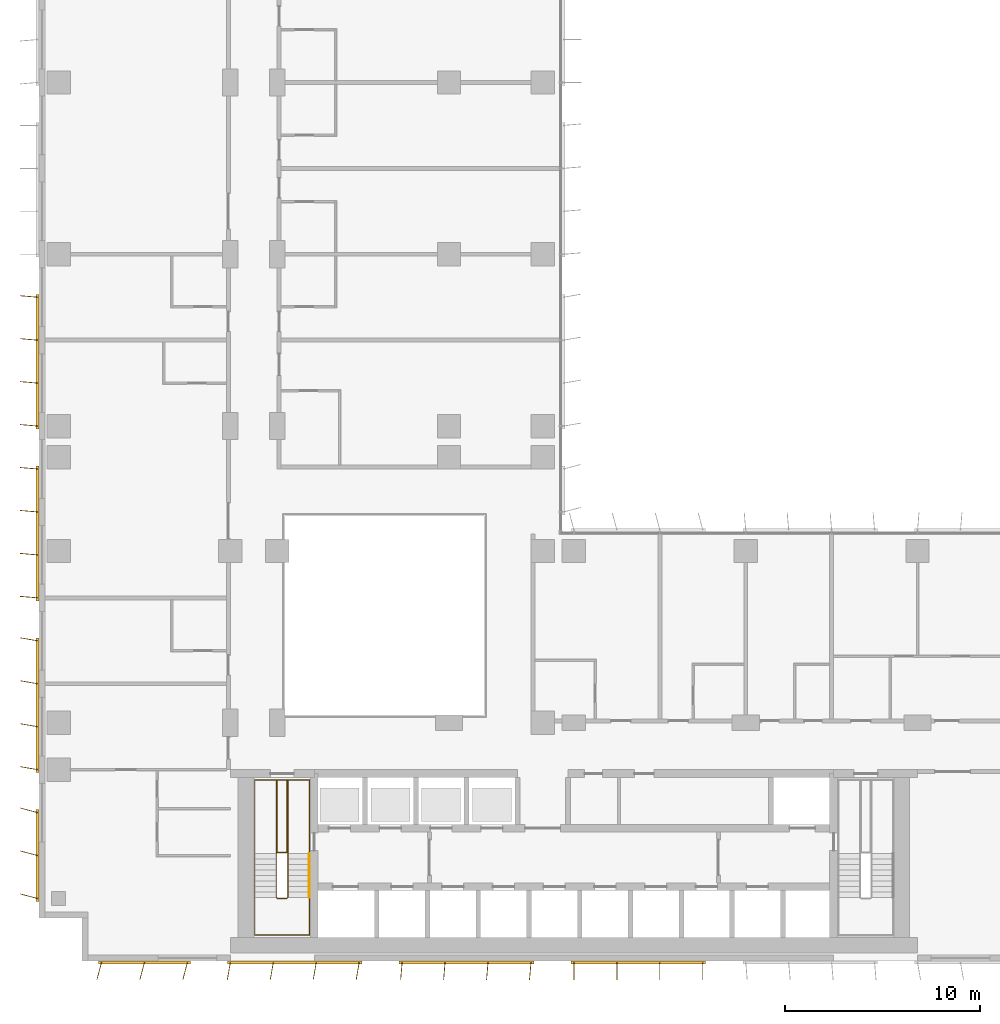
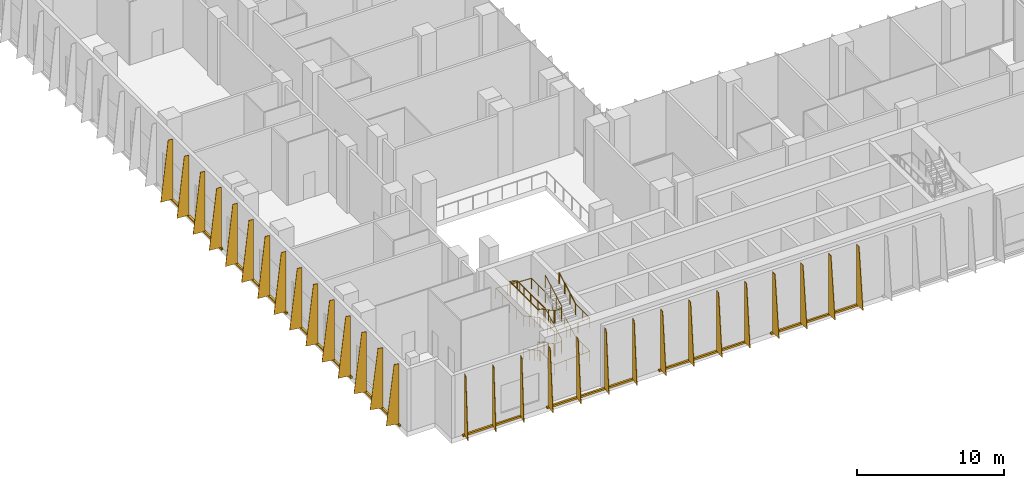
# One storey, part 20 of 26: 8 shading devices, 4 railings.
"""IFC4 building model written with IfcOpenShell, lengths in metres."""

from ifc_helpers import new_model, si_unit, direction, frame, origin, origin_2d, place, context, subcontext, project, spatial, polyline, rectangle, circle, outline, extrude, source, transform, mapped, material, layer, layer_set, type_object, element, save


model = new_model("IFC4")

# Units and contexts
model_context = context("Model", 3, precision=1e-05, world=origin(), true_north=direction((0.0, 1.0)))
body_context = subcontext(model_context, "Body", "Model", "MODEL_VIEW")
ifc_project = project(units=[si_unit("LENGTHUNIT", "METRE"), si_unit("AREAUNIT", "SQUARE_METRE"), si_unit("VOLUMEUNIT", "CUBIC_METRE"), si_unit("PLANEANGLEUNIT", "RADIAN"), si_unit("MASSUNIT", "GRAM", prefix="KILO")], contexts=[model_context])

# Site, building, storey
site_placement = place(None, origin())
site = spatial("IfcSite", under=ifc_project, at=site_placement, CompositionType="ELEMENT")
building_placement = place(site_placement, origin())
building = spatial("IfcBuilding", under=site, at=building_placement, Name="Kemantara Hotel Tower", CompositionType="ELEMENT")
storey_placement = place(building_placement, frame((0.0, 0.0, 101.89990234375)))
storey = spatial("IfcBuildingStorey", under=building, at=storey_placement, Name="L24", CompositionType="ELEMENT", Elevation=101.89990234375)

# Railings
ifc_material_1 = material(Name="Stainless steel balustrade", Category="steel")
railing_type_1 = type_object("IfcRailingType", Name="Stair guard 1100 mm", PredefinedType="GUARDRAIL", material=ifc_material_1)
railing_1_placement = place(storey_placement, frame((12.75, 5.5, 5.5)))
element("IfcRailing", 1, at=railing_1_placement, inside=storey, type_object=railing_type_1, Name="L24 ST1 stair guard 1", PredefinedType="GUARDRAIL", context=body_context, shape_type="SweptSolid", body=[
    extrude(circle(Radius=0.02392578125, at=origin_2d()), frame((0.0, 0.0, 1.076171875), z_axis=(0.0, -0.87783706319, -0.478959382924), x_axis=(1.0, 0.0, 0.0)), (0.0, 0.0, 1.0), 2.5517578125),
    extrude(circle(Radius=0.02392578125, at=origin_2d()), frame((0.0, -2.239990234375, -0.14599609375), z_axis=(-0.297155754911, -0.297155754911, -0.90741220768), x_axis=(0.707106781187, -0.707106781187, 0.0)), (0.0, 0.0, 1.0), 0.16845703125),
    extrude(circle(Radius=0.02392578125, at=origin_2d()), frame((-0.050048828125, -2.2900390625, -0.298828125), z_axis=(-1.0, 0.0, 0.0), x_axis=(0.0, -1.0, 0.0)), (0.0, 0.0, 1.0), 0.5),
    extrude(circle(Radius=0.02392578125, at=origin_2d()), frame((-0.550048828125, -2.2900390625, -0.298828125), z_axis=(-0.707106781187, 0.707106781187, 0.0), x_axis=(-0.707106781187, -0.707106781187, 0.0)), (0.0, 0.0, 1.0), 0.07080078125),
    extrude(circle(Radius=0.02392578125, at=origin_2d()), frame((-0.60009765625, -2.239990234375, -0.298828125), z_axis=(0.0, 0.87783706319, -0.478959382924), x_axis=(-1.0, 0.0, 0.0)), (0.0, 0.0, 1.0), 2.5517578125),
    extrude(circle(Radius=0.02392578125, at=origin_2d()), frame((-0.60009765625, 0.0, -1.52099609375), z_axis=(0.0, 1.0, 0.0), x_axis=(-1.0, 0.0, 0.0)), (0.0, 0.0, 1.0), 3.780029296875),
    extrude(circle(Radius=0.02392578125, at=origin_2d()), frame((-0.60009765625, 3.780029296875, -1.52099609375), z_axis=(0.963499526908, 0.0, -0.267710032776), x_axis=(0.0, 1.0, 0.0)), (0.0, 0.0, 1.0), 0.57080078125),
    extrude(circle(Radius=0.02392578125, at=origin_2d()), frame((-0.050048828125, 3.780029296875, -1.673828125), z_axis=(0.0, -1.0, 0.0), x_axis=(1.0, 0.0, 0.0)), (0.0, 0.0, 1.0), 3.72998046875),
    extrude(circle(Radius=0.02392578125, at=origin_2d()), frame((-0.050048828125, 0.050048828125, -1.673828125), z_axis=(-1.0, 0.0, 0.0), x_axis=(0.0, -1.0, 0.0)), (0.0, 0.0, 1.0), 0.5),
    extrude(circle(Radius=0.02392578125, at=origin_2d()), frame((-0.550048828125, 0.050048828125, -1.673828125), z_axis=(0.0, 1.0, 0.0), x_axis=(-1.0, 0.0, 0.0)), (0.0, 0.0, 1.0), 3.72998046875),
    extrude(circle(Radius=0.02392578125, at=origin_2d()), frame((-0.550048828125, 3.780029296875, -1.673828125), z_axis=(1.0, 0.0, 0.0), x_axis=(0.0, 1.0, 0.0)), (0.0, 0.0, 1.0), 0.550048828125),
    extrude(circle(Radius=0.02392578125, at=origin_2d()), frame((0.0, 3.780029296875, -1.673828125), z_axis=(0.0, -1.0, 0.0), x_axis=(1.0, 0.0, 0.0)), (0.0, 0.0, 1.0), 3.780029296875),
    extrude(circle(Radius=0.02392578125, at=origin_2d()), frame((0.0, 0.0, -1.673828125), z_axis=(0.0, -0.87783706319, -0.478959382924), x_axis=(1.0, 0.0, 0.0)), (0.0, 0.0, 1.0), 2.5517578125),
    extrude(circle(Radius=0.02392578125, at=origin_2d()), frame((0.0, -2.239990234375, -2.89599609375), z_axis=(-0.297155754911, -0.297155754911, -0.90741220768), x_axis=(0.707106781187, -0.707106781187, 0.0)), (0.0, 0.0, 1.0), 0.16845703125),
    extrude(circle(Radius=0.02392578125, at=origin_2d()), frame((-0.050048828125, -2.2900390625, -3.048828125), z_axis=(-1.0, 0.0, 0.0), x_axis=(0.0, -1.0, 0.0)), (0.0, 0.0, 1.0), 0.5),
    extrude(circle(Radius=0.02392578125, at=origin_2d()), frame((-0.550048828125, -2.2900390625, -3.048828125), z_axis=(-0.707106781187, 0.707106781187, 0.0), x_axis=(-0.707106781187, -0.707106781187, 0.0)), (0.0, 0.0, 1.0), 0.07080078125),
    extrude(circle(Radius=0.02392578125, at=origin_2d()), frame((-0.60009765625, -2.239990234375, -3.048828125), z_axis=(0.0, 0.87783706319, -0.478959382924), x_axis=(-1.0, 0.0, 0.0)), (0.0, 0.0, 1.0), 2.5517578125),
    extrude(circle(Radius=0.02392578125, at=origin_2d()), frame((-0.60009765625, 0.0, -4.27099609375), z_axis=(0.297155754911, 0.297155754911, -0.90741220768), x_axis=(-0.707106781187, 0.707106781187, 0.0)), (0.0, 0.0, 1.0), 0.16845703125),
    extrude(circle(Radius=0.02392578125, at=origin_2d()), frame((-0.550048828125, 0.050048828125, -4.423828125), z_axis=(1.0, 0.0, 0.0), x_axis=(0.0, 1.0, 0.0)), (0.0, 0.0, 1.0), 0.5),
    extrude(circle(Radius=0.02099609375, at=origin_2d()), origin(), (0.0, 0.0, 1.0), 1.052001953125),
    extrude(circle(Radius=0.02099609375, at=origin_2d()), frame((0.0, -0.74658203125, -0.407470703125)), (0.0, 0.0, 1.0), 1.052001953125),
    extrude(circle(Radius=0.02099609375, at=origin_2d()), frame((0.0, -1.493408203125, -0.814697265625)), (0.0, 0.0, 1.0), 1.052001953125),
    extrude(circle(Radius=0.02099609375, at=origin_2d()), frame((0.0, -2.239990234375, -1.22216796875)), (0.0, 0.0, 1.0), 1.052001953125),
    extrude(circle(Radius=0.02099609375, at=origin_2d()), frame((-0.050048828125, -2.2900390625, -1.375)), (0.0, 0.0, 1.0), 1.052001953125),
    extrude(circle(Radius=0.02099609375, at=origin_2d()), frame((-0.550048828125, -2.2900390625, -1.375)), (0.0, 0.0, 1.0), 1.052001953125),
    extrude(circle(Radius=0.02099609375, at=origin_2d()), frame((-0.60009765625, -2.239990234375, -1.375)), (0.0, 0.0, 1.0), 1.052001953125),
    extrude(circle(Radius=0.02099609375, at=origin_2d()), frame((-0.60009765625, -1.493408203125, -1.782470703125)), (0.0, 0.0, 1.0), 1.052001953125),
    extrude(circle(Radius=0.02099609375, at=origin_2d()), frame((-0.60009765625, -0.74658203125, -2.189697265625)), (0.0, 0.0, 1.0), 1.052001953125),
    extrude(circle(Radius=0.02099609375, at=origin_2d()), frame((-0.60009765625, 0.0, -2.59716796875)), (0.0, 0.0, 1.0), 1.052001953125),
    extrude(circle(Radius=0.02099609375, at=origin_2d()), frame((-0.60009765625, 0.945068359375, -2.59716796875)), (0.0, 0.0, 1.0), 1.052001953125),
    extrude(circle(Radius=0.02099609375, at=origin_2d()), frame((-0.60009765625, 1.89013671875, -2.59716796875)), (0.0, 0.0, 1.0), 1.052001953125),
    extrude(circle(Radius=0.02099609375, at=origin_2d()), frame((-0.60009765625, 2.8349609375, -2.59716796875)), (0.0, 0.0, 1.0), 1.052001953125),
    extrude(circle(Radius=0.02099609375, at=origin_2d()), frame((-0.60009765625, 3.780029296875, -2.59716796875)), (0.0, 0.0, 1.0), 1.052001953125),
    extrude(circle(Radius=0.02099609375, at=origin_2d()), frame((-0.050048828125, 3.780029296875, -2.75)), (0.0, 0.0, 1.0), 1.052001953125),
    extrude(circle(Radius=0.02099609375, at=origin_2d()), frame((-0.050048828125, 2.84765625, -2.75)), (0.0, 0.0, 1.0), 1.052001953125),
    extrude(circle(Radius=0.02099609375, at=origin_2d()), frame((-0.050048828125, 1.9150390625, -2.75)), (0.0, 0.0, 1.0), 1.052001953125),
    extrude(circle(Radius=0.02099609375, at=origin_2d()), frame((-0.050048828125, 0.982421875, -2.75)), (0.0, 0.0, 1.0), 1.052001953125),
    extrude(circle(Radius=0.02099609375, at=origin_2d()), frame((-0.050048828125, 0.050048828125, -2.75)), (0.0, 0.0, 1.0), 1.052001953125),
    extrude(circle(Radius=0.02099609375, at=origin_2d()), frame((-0.550048828125, 0.050048828125, -2.75)), (0.0, 0.0, 1.0), 1.052001953125),
    extrude(circle(Radius=0.02099609375, at=origin_2d()), frame((-0.550048828125, 0.982421875, -2.75)), (0.0, 0.0, 1.0), 1.052001953125),
    extrude(circle(Radius=0.02099609375, at=origin_2d()), frame((-0.550048828125, 1.9150390625, -2.75)), (0.0, 0.0, 1.0), 1.052001953125),
    extrude(circle(Radius=0.02099609375, at=origin_2d()), frame((-0.550048828125, 2.84765625, -2.75)), (0.0, 0.0, 1.0), 1.052001953125),
    extrude(circle(Radius=0.02099609375, at=origin_2d()), frame((-0.550048828125, 3.780029296875, -2.75)), (0.0, 0.0, 1.0), 1.052001953125),
    extrude(circle(Radius=0.02099609375, at=origin_2d()), frame((0.0, 3.780029296875, -2.75)), (0.0, 0.0, 1.0), 1.052001953125),
    extrude(circle(Radius=0.02099609375, at=origin_2d()), frame((0.0, 2.8349609375, -2.75)), (0.0, 0.0, 1.0), 1.052001953125),
    extrude(circle(Radius=0.02099609375, at=origin_2d()), frame((0.0, 1.89013671875, -2.75)), (0.0, 0.0, 1.0), 1.052001953125),
    extrude(circle(Radius=0.02099609375, at=origin_2d()), frame((0.0, 0.945068359375, -2.75)), (0.0, 0.0, 1.0), 1.052001953125),
    extrude(circle(Radius=0.02099609375, at=origin_2d()), frame((0.0, 0.0, -2.75)), (0.0, 0.0, 1.0), 1.052001953125),
    extrude(circle(Radius=0.02099609375, at=origin_2d()), frame((0.0, -0.74658203125, -3.157470703125)), (0.0, 0.0, 1.0), 1.052001953125),
    extrude(circle(Radius=0.02099609375, at=origin_2d()), frame((0.0, -1.493408203125, -3.564697265625)), (0.0, 0.0, 1.0), 1.052001953125),
    extrude(circle(Radius=0.02099609375, at=origin_2d()), frame((0.0, -2.239990234375, -3.97216796875)), (0.0, 0.0, 1.0), 1.052001953125),
    extrude(circle(Radius=0.02099609375, at=origin_2d()), frame((-0.050048828125, -2.2900390625, -4.125)), (0.0, 0.0, 1.0), 1.052001953125),
    extrude(circle(Radius=0.02099609375, at=origin_2d()), frame((-0.550048828125, -2.2900390625, -4.125)), (0.0, 0.0, 1.0), 1.052001953125),
    extrude(circle(Radius=0.02099609375, at=origin_2d()), frame((-0.60009765625, -2.239990234375, -4.125)), (0.0, 0.0, 1.0), 1.052001953125),
    extrude(circle(Radius=0.02099609375, at=origin_2d()), frame((-0.60009765625, -1.493408203125, -4.532470703125)), (0.0, 0.0, 1.0), 1.052001953125),
    extrude(circle(Radius=0.02099609375, at=origin_2d()), frame((-0.60009765625, -0.74658203125, -4.939697265625)), (0.0, 0.0, 1.0), 1.052001953125),
    extrude(circle(Radius=0.02099609375, at=origin_2d()), frame((-0.60009765625, 0.0, -5.34716796875)), (0.0, 0.0, 1.0), 1.052001953125),
    extrude(circle(Radius=0.02099609375, at=origin_2d()), frame((-0.550048828125, 0.050048828125, -5.5)), (0.0, 0.0, 1.0), 1.052001953125),
    extrude(circle(Radius=0.02099609375, at=origin_2d()), frame((-0.050048828125, 0.050048828125, -5.5)), (0.0, 0.0, 1.0), 1.052001953125),
])
railing_type_2 = type_object("IfcRailingType", Name="Stair handrail 900 mm", PredefinedType="HANDRAIL", material=ifc_material_1)
railing_2_placement = place(storey_placement, frame((11.050048828125, 5.5, 0.15283203125)))
element("IfcRailing", 2, at=railing_2_placement, inside=storey, type_object=railing_type_2, Name="L24 ST1 stair handrail 1", PredefinedType="HANDRAIL", context=body_context, shape_type="SweptSolid", body=[
    extrude(circle(Radius=0.02392578125, at=origin_2d()), frame((0.0, 0.0, 0.8759765625), z_axis=(0.0, -0.87783706319, 0.478959382924), x_axis=(1.0, 0.0, 0.0)), (0.0, 0.0, 1.0), 2.5517578125),
    extrude(circle(Radius=0.02392578125, at=origin_2d()), frame((0.0, -2.239990234375, 2.09814453125), z_axis=(0.0, -1.0, 0.0), x_axis=(1.0, 0.0, 0.0)), (0.0, 0.0, 1.0), 1.93994140625),
    extrude(circle(Radius=0.02392578125, at=origin_2d()), frame((0.0, -4.179931640625, 2.09814453125), z_axis=(0.998513727286, 0.0, 0.054500792857), x_axis=(0.0, 1.0, 0.0)), (0.0, 0.0, 1.0), 2.80419921875),
    extrude(circle(Radius=0.02392578125, at=origin_2d()), frame((2.800048828125, -4.179931640625, 2.2509765625), z_axis=(0.0, 1.0, 0.0), x_axis=(-1.0, 0.0, 0.0)), (0.0, 0.0, 1.0), 1.93994140625),
    extrude(circle(Radius=0.02392578125, at=origin_2d()), frame((2.800048828125, -2.239990234375, 2.2509765625), z_axis=(0.0, 0.87783706319, 0.478959382924), x_axis=(-1.0, 0.0, 0.0)), (0.0, 0.0, 1.0), 2.5517578125),
    extrude(circle(Radius=0.02099609375, at=origin_2d()), origin(), (0.0, 0.0, 1.0), 0.851806640625),
    extrude(circle(Radius=0.02099609375, at=origin_2d()), frame((0.0, -0.74658203125, 0.407470703125)), (0.0, 0.0, 1.0), 0.851806640625),
    extrude(circle(Radius=0.02099609375, at=origin_2d()), frame((0.0, -1.493408203125, 0.814697265625)), (0.0, 0.0, 1.0), 0.851806640625),
    extrude(circle(Radius=0.02099609375, at=origin_2d()), frame((0.0, -2.239990234375, 1.22216796875)), (0.0, 0.0, 1.0), 0.851806640625),
    extrude(circle(Radius=0.02099609375, at=origin_2d()), frame((0.0, -3.2099609375, 1.22216796875)), (0.0, 0.0, 1.0), 0.851806640625),
    extrude(circle(Radius=0.02099609375, at=origin_2d()), frame((0.0, -4.179931640625, 1.22216796875)), (0.0, 0.0, 1.0), 0.851806640625),
    extrude(circle(Radius=0.02099609375, at=origin_2d()), frame((0.933349609375, -4.179931640625, 1.273193359375)), (0.0, 0.0, 1.0), 0.851806640625),
    extrude(circle(Radius=0.02099609375, at=origin_2d()), frame((1.86669921875, -4.179931640625, 1.323974609375)), (0.0, 0.0, 1.0), 0.851806640625),
    extrude(circle(Radius=0.02099609375, at=origin_2d()), frame((2.800048828125, -4.179931640625, 1.375)), (0.0, 0.0, 1.0), 0.851806640625),
    extrude(circle(Radius=0.02099609375, at=origin_2d()), frame((2.800048828125, -3.2099609375, 1.375)), (0.0, 0.0, 1.0), 0.851806640625),
    extrude(circle(Radius=0.02099609375, at=origin_2d()), frame((2.800048828125, -2.239990234375, 1.375)), (0.0, 0.0, 1.0), 0.851806640625),
    extrude(circle(Radius=0.02099609375, at=origin_2d()), frame((2.800048828125, -1.493408203125, 1.782470703125)), (0.0, 0.0, 1.0), 0.851806640625),
    extrude(circle(Radius=0.02099609375, at=origin_2d()), frame((2.800048828125, -0.74658203125, 2.189697265625)), (0.0, 0.0, 1.0), 0.851806640625),
    extrude(circle(Radius=0.02099609375, at=origin_2d()), frame((2.800048828125, 0.0, 2.59716796875)), (0.0, 0.0, 1.0), 0.851806640625),
])
railing_3_placement = place(storey_placement, frame((13.85009765625, 5.5, 2.75)))
element("IfcRailing", 3, at=railing_3_placement, inside=storey, type_object=railing_type_2, Name="L24 ST1 stair handrail 2", PredefinedType="HANDRAIL", context=body_context, shape_type="SweptSolid", body=[
    extrude(circle(Radius=0.02392578125, at=origin_2d()), frame((0.0, 0.0, 0.8759765625), z_axis=(0.0, 1.0, 0.0), x_axis=(-1.0, 0.0, 0.0)), (0.0, 0.0, 1.0), 3.780029296875),
    extrude(circle(Radius=0.02392578125, at=origin_2d()), frame((0.0, 3.780029296875, 0.8759765625), z_axis=(-0.998513727286, 0.0, 0.054500792857), x_axis=(0.0, -1.0, 0.0)), (0.0, 0.0, 1.0), 2.80419921875),
    extrude(circle(Radius=0.02392578125, at=origin_2d()), frame((-2.800048828125, 3.780029296875, 1.02880859375), z_axis=(0.0, -1.0, 0.0), x_axis=(1.0, 0.0, 0.0)), (0.0, 0.0, 1.0), 3.780029296875),
    extrude(circle(Radius=0.02392578125, at=origin_2d()), frame((-2.800048828125, 0.0, 1.02880859375), z_axis=(0.0, -0.87783706319, 0.478959382924), x_axis=(1.0, 0.0, 0.0)), (0.0, 0.0, 1.0), 2.5517578125),
    extrude(circle(Radius=0.02392578125, at=origin_2d()), frame((-2.800048828125, -2.239990234375, 2.2509765625), z_axis=(0.0, -1.0, 0.0), x_axis=(1.0, 0.0, 0.0)), (0.0, 0.0, 1.0), 1.93994140625),
    extrude(circle(Radius=0.02392578125, at=origin_2d()), frame((-2.800048828125, -4.179931640625, 2.2509765625), z_axis=(0.998513727286, 0.0, 0.054500792857), x_axis=(0.0, 1.0, 0.0)), (0.0, 0.0, 1.0), 2.80419921875),
    extrude(circle(Radius=0.02392578125, at=origin_2d()), frame((0.0, -4.179931640625, 2.40380859375), z_axis=(0.0, 1.0, 0.0), x_axis=(-1.0, 0.0, 0.0)), (0.0, 0.0, 1.0), 1.93994140625),
    extrude(circle(Radius=0.02099609375, at=origin_2d()), origin(), (0.0, 0.0, 1.0), 0.851806640625),
    extrude(circle(Radius=0.02099609375, at=origin_2d()), frame((0.0, 0.945068359375, 0.0)), (0.0, 0.0, 1.0), 0.851806640625),
    extrude(circle(Radius=0.02099609375, at=origin_2d()), frame((0.0, 1.89013671875, 0.0)), (0.0, 0.0, 1.0), 0.851806640625),
    extrude(circle(Radius=0.02099609375, at=origin_2d()), frame((0.0, 2.8349609375, 0.0)), (0.0, 0.0, 1.0), 0.851806640625),
    extrude(circle(Radius=0.02099609375, at=origin_2d()), frame((0.0, 3.780029296875, 0.0)), (0.0, 0.0, 1.0), 0.851806640625),
    extrude(circle(Radius=0.02099609375, at=origin_2d()), frame((-0.933349609375, 3.780029296875, 0.051025390625)), (0.0, 0.0, 1.0), 0.851806640625),
    extrude(circle(Radius=0.02099609375, at=origin_2d()), frame((-1.86669921875, 3.780029296875, 0.101806640625)), (0.0, 0.0, 1.0), 0.851806640625),
    extrude(circle(Radius=0.02099609375, at=origin_2d()), frame((-2.800048828125, 3.780029296875, 0.15283203125)), (0.0, 0.0, 1.0), 0.851806640625),
    extrude(circle(Radius=0.02099609375, at=origin_2d()), frame((-2.800048828125, 2.8349609375, 0.15283203125)), (0.0, 0.0, 1.0), 0.851806640625),
    extrude(circle(Radius=0.02099609375, at=origin_2d()), frame((-2.800048828125, 1.89013671875, 0.15283203125)), (0.0, 0.0, 1.0), 0.851806640625),
    extrude(circle(Radius=0.02099609375, at=origin_2d()), frame((-2.800048828125, 0.945068359375, 0.15283203125)), (0.0, 0.0, 1.0), 0.851806640625),
    extrude(circle(Radius=0.02099609375, at=origin_2d()), frame((-2.800048828125, 0.0, 0.15283203125)), (0.0, 0.0, 1.0), 0.851806640625),
    extrude(circle(Radius=0.02099609375, at=origin_2d()), frame((-2.800048828125, -0.74658203125, 0.560302734375)), (0.0, 0.0, 1.0), 0.851806640625),
    extrude(circle(Radius=0.02099609375, at=origin_2d()), frame((-2.800048828125, -1.493408203125, 0.967529296875)), (0.0, 0.0, 1.0), 0.851806640625),
    extrude(circle(Radius=0.02099609375, at=origin_2d()), frame((-2.800048828125, -2.239990234375, 1.375)), (0.0, 0.0, 1.0), 0.851806640625),
    extrude(circle(Radius=0.02099609375, at=origin_2d()), frame((-2.800048828125, -3.2099609375, 1.375)), (0.0, 0.0, 1.0), 0.851806640625),
    extrude(circle(Radius=0.02099609375, at=origin_2d()), frame((-2.800048828125, -4.179931640625, 1.375)), (0.0, 0.0, 1.0), 0.851806640625),
    extrude(circle(Radius=0.02099609375, at=origin_2d()), frame((-1.86669921875, -4.179931640625, 1.426025390625)), (0.0, 0.0, 1.0), 0.851806640625),
    extrude(circle(Radius=0.02099609375, at=origin_2d()), frame((-0.933349609375, -4.179931640625, 1.476806640625)), (0.0, 0.0, 1.0), 0.851806640625),
    extrude(circle(Radius=0.02099609375, at=origin_2d()), frame((0.0, -4.179931640625, 1.52783203125)), (0.0, 0.0, 1.0), 0.851806640625),
    extrude(circle(Radius=0.02099609375, at=origin_2d()), frame((0.0, -3.2099609375, 1.52783203125)), (0.0, 0.0, 1.0), 0.851806640625),
    extrude(circle(Radius=0.02099609375, at=origin_2d()), frame((0.0, -2.239990234375, 1.52783203125)), (0.0, 0.0, 1.0), 0.851806640625),
])
railing_4_placement = place(storey_placement, frame((13.85009765625, 3.260009765625, 4.27783203125)))
element("IfcRailing", 4, at=railing_4_placement, inside=storey, type_object=railing_type_2, Name="L24 ST1 stair handrail 3", PredefinedType="HANDRAIL", context=body_context, shape_type="SweptSolid", body=[
    extrude(circle(Radius=0.02392578125, at=origin_2d()), frame((0.0, 0.0, 0.8759765625), z_axis=(0.0, 0.87783706319, 0.478959382924), x_axis=(-1.0, 0.0, 0.0)), (0.0, 0.0, 1.0), 2.5517578125),
    extrude(circle(Radius=0.02099609375, at=origin_2d()), origin(), (0.0, 0.0, 1.0), 0.851806640625),
    extrude(circle(Radius=0.02099609375, at=origin_2d()), frame((0.0, 0.74658203125, 0.407470703125)), (0.0, 0.0, 1.0), 0.851806640625),
    extrude(circle(Radius=0.02099609375, at=origin_2d()), frame((0.0, 1.493408203125, 0.814697265625)), (0.0, 0.0, 1.0), 0.851806640625),
    extrude(circle(Radius=0.02099609375, at=origin_2d()), frame((0.0, 2.239990234375, 1.22216796875)), (0.0, 0.0, 1.0), 0.851806640625),
])

# Shading devices
ifc_material_2 = material(Name="Perforated aluminium plate 4 mm bronze anodised", Category="aluminium")
ifc_layer_1 = layer(ifc_material_2, 0.0400390625)
ifc_layer_set_1 = layer_set([ifc_layer_1], Name="Perforated aluminium plate 4 mm bronze anodised")
shading_device_type_1 = type_object("IfcShadingDeviceType", Name="SCREEN FIN CASSETTE, 4 BLADES AT +0.0 DEG, 5000 HIGH", PredefinedType="USERDEFINED", material=ifc_layer_set_1)
shared_shape_1 = source(origin(), body_context, "Body", "SweptSolid", [
    extrude(rectangle(XDim=6.89990234375, YDim=0.14990234375, at=origin_2d()), frame((3.300048828125, -0.074951171875, -0.14990234375), z_axis=(0.0, 0.0, 1.0), x_axis=(1.0, 0.0, 0.0)), (0.0, 0.0, 1.0), 0.14990234375),
    extrude(outline(polyline([(0.0, 0.0), (0.89990234375, 0.0), (0.35009765625, 5.0), (0.0, 5.0), (0.0, 0.0)])), frame((0.02001953125, -0.074951171875, 0.0), z_axis=(-1.0, 0.0, 0.0), x_axis=(0.0, -1.0, 0.0)), (0.0, 0.0, 1.0), 0.0400390625),
    extrude(outline(polyline([(0.0, 0.0), (0.89990234375, 0.0), (0.35009765625, 5.0), (0.0, 5.0), (0.0, 0.0)])), frame((2.219970703125, -0.074951171875, 0.0), z_axis=(-1.0, 0.0, 0.0), x_axis=(0.0, -1.0, 0.0)), (0.0, 0.0, 1.0), 0.0400390625),
    extrude(outline(polyline([(0.0, 0.0), (0.89990234375, 0.0), (0.35009765625, 5.0), (0.0, 5.0), (0.0, 0.0)])), frame((4.419921875, -0.074951171875, 0.0), z_axis=(-1.0, 0.0, 0.0), x_axis=(0.0, -1.0, 0.0)), (0.0, 0.0, 1.0), 0.0400390625),
    extrude(outline(polyline([(0.0, 0.0), (0.89990234375, 0.0), (0.35009765625, 5.0), (0.0, 5.0), (0.0, 0.0)])), frame((6.6201171875, -0.074951171875, 0.0), z_axis=(-1.0, 0.0, 0.0), x_axis=(0.0, -1.0, 0.0)), (0.0, 0.0, 1.0), 0.0400390625),
])
shading_device_placement = place(storey_placement, frame((27.39990234375, 0.0, 0.10009765625), z_axis=(0.0, 0.0, 1.0), x_axis=(1.0, 0.0, 0.0)))
element("IfcShadingDevice", 5, at=shading_device_placement, inside=storey, type_object=shading_device_type_1, Name="SCREEN FIN CASSETTE L24 T2-R07-4", ObjectType="SCREEN FIN", PredefinedType="USERDEFINED", context=body_context, shape_type="MappedRepresentation", body=[
    mapped(shared_shape_1, transform((0.0, 0.0, 0.0))),
])
ifc_layer_2 = layer(ifc_material_2, 0.0400390625)
ifc_layer_set_2 = layer_set([ifc_layer_2], Name="Perforated aluminium plate 4 mm bronze anodised")
shading_device_type_2 = type_object("IfcShadingDeviceType", Name="SCREEN FIN CASSETTE, 3 BLADES AT -15.0 DEG, 5000 HIGH", PredefinedType="USERDEFINED", material=ifc_layer_set_2)
shared_shape_2 = source(origin(), body_context, "Body", "SweptSolid", [
    extrude(rectangle(XDim=4.699951171875, YDim=0.14990234375, at=origin_2d()), frame((2.199951171875, -0.074951171875, -0.14990234375), z_axis=(0.0, 0.0, 1.0), x_axis=(1.0, 0.0, 0.0)), (0.0, 0.0, 1.0), 0.14990234375),
    extrude(outline(polyline([(0.0, 0.0), (0.89990234375, 0.0), (0.35009765625, 5.0), (0.0, 5.0), (0.0, 0.0)])), frame((0.019287109375, -0.080078125, 0.0), z_axis=(-0.966437683387, 0.256901156343, 0.0), x_axis=(-0.256901156343, -0.966437683387, 0.0)), (0.0, 0.0, 1.0), 0.039794921875),
    extrude(outline(polyline([(0.0, 0.0), (0.89990234375, 0.0), (0.35009765625, 5.0), (0.0, 5.0), (0.0, 0.0)])), frame((2.21923828125, -0.080078125, 0.0), z_axis=(-0.966437683387, 0.256901156343, 0.0), x_axis=(-0.256901156343, -0.966437683387, 0.0)), (0.0, 0.0, 1.0), 0.039794921875),
    extrude(outline(polyline([(0.0, 0.0), (0.89990234375, 0.0), (0.35009765625, 5.0), (0.0, 5.0), (0.0, 0.0)])), frame((4.41943359375, -0.080078125, 0.0), z_axis=(-0.966837822169, 0.255391122837, 0.0), x_axis=(-0.255391122837, -0.966837822169, 0.0)), (0.0, 0.0, 1.0), 0.0400390625),
])
for number, where, z_axis, x_axis, name in (
    (6, (0.0, 7.60009765625, 0.10009765625), (0.0, 0.0, 1.0), (0.0, -1.0, 0.0), "SCREEN FIN CASSETTE L24 T2-R04-9"),
    (7, (3.199951171875, 0.0, 0.10009765625), (0.0, 0.0, 1.0), (1.0, 0.0, 0.0), "SCREEN FIN CASSETTE L24 T2-R07-1"),
):
    element("IfcShadingDevice", number, at=place(storey_placement, frame(where, z_axis=z_axis, x_axis=x_axis)), inside=storey, type_object=shading_device_type_2, Name=name, ObjectType="SCREEN FIN", PredefinedType="USERDEFINED", context=body_context, shape_type="MappedRepresentation", body=[
        mapped(shared_shape_2, transform((0.0, 0.0, 0.0))),
    ])
ifc_layer_3 = layer(ifc_material_2, 0.0400390625)
ifc_layer_set_3 = layer_set([ifc_layer_3], Name="Perforated aluminium plate 4 mm bronze anodised")
shading_device_type_3 = type_object("IfcShadingDeviceType", Name="SCREEN FIN CASSETTE, 4 BLADES AT -5.0 DEG, 5000 HIGH", PredefinedType="USERDEFINED", material=ifc_layer_set_3)
shared_shape_3 = source(origin(), body_context, "Body", "SweptSolid", [
    extrude(rectangle(XDim=6.89990234375, YDim=0.14990234375, at=origin_2d()), frame((3.300048828125, -0.074951171875, -0.14990234375), z_axis=(0.0, 0.0, 1.0), x_axis=(1.0, 0.0, 0.0)), (0.0, 0.0, 1.0), 0.14990234375),
    extrude(outline(polyline([(0.0, 0.0), (0.89990234375, 0.0), (0.35009765625, 5.0), (0.0, 5.0), (0.0, 0.0)])), frame((0.02001953125, -0.07666015625, 0.0), z_axis=(-0.996376129781, 0.085056498884, 0.0), x_axis=(-0.085056498884, -0.996376129781, 0.0)), (0.0, 0.0, 1.0), 0.040283203125),
    extrude(outline(polyline([(0.0, 0.0), (0.89990234375, 0.0), (0.35009765625, 5.0), (0.0, 5.0), (0.0, 0.0)])), frame((2.219970703125, -0.07666015625, 0.0), z_axis=(-0.996331773833, 0.085574508182, 0.0), x_axis=(-0.085574508182, -0.996331773833, 0.0)), (0.0, 0.0, 1.0), 0.0400390625),
    extrude(outline(polyline([(0.0, 0.0), (0.89990234375, 0.0), (0.35009765625, 5.0), (0.0, 5.0), (0.0, 0.0)])), frame((4.419921875, -0.07666015625, 0.0), z_axis=(-0.996331773833, 0.085574508182, 0.0), x_axis=(-0.085574508182, -0.996331773833, 0.0)), (0.0, 0.0, 1.0), 0.0400390625),
    extrude(outline(polyline([(0.0, 0.0), (0.89990234375, 0.0), (0.35009765625, 5.0), (0.0, 5.0), (0.0, 0.0)])), frame((6.619873046875, -0.07666015625, 0.0), z_axis=(-0.996331773833, 0.085574508182, 0.0), x_axis=(-0.085574508182, -0.996331773833, 0.0)), (0.0, 0.0, 1.0), 0.0400390625),
])
for number, where, z_axis, x_axis, name in (
    (8, (0.0, 34.0, 0.10009765625), (0.0, 0.0, 1.0), (0.0, -1.0, 0.0), "SCREEN FIN CASSETTE L24 T2-R04-6"),
    (9, (0.0, 25.199951171875, 0.10009765625), (0.0, 0.0, 1.0), (0.0, -1.0, 0.0), "SCREEN FIN CASSETTE L24 T2-R04-7"),
    (10, (18.60009765625, 0.0, 0.10009765625), (0.0, 0.0, 1.0), (1.0, 0.0, 0.0), "SCREEN FIN CASSETTE L24 T2-R07-3"),
):
    element("IfcShadingDevice", number, at=place(storey_placement, frame(where, z_axis=z_axis, x_axis=x_axis)), inside=storey, type_object=shading_device_type_3, Name=name, ObjectType="SCREEN FIN", PredefinedType="USERDEFINED", context=body_context, shape_type="MappedRepresentation", body=[
        mapped(shared_shape_3, transform((0.0, 0.0, 0.0))),
    ])
ifc_layer_4 = layer(ifc_material_2, 0.0400390625)
ifc_layer_set_4 = layer_set([ifc_layer_4], Name="Perforated aluminium plate 4 mm bronze anodised")
shading_device_type_4 = type_object("IfcShadingDeviceType", Name="SCREEN FIN CASSETTE, 4 BLADES AT -10.0 DEG, 5000 HIGH", PredefinedType="USERDEFINED", material=ifc_layer_set_4)
shared_shape_4 = source(origin(), body_context, "Body", "SweptSolid", [
    extrude(rectangle(XDim=6.89990234375, YDim=0.14990234375, at=origin_2d()), frame((3.300048828125, -0.074951171875, -0.14990234375), z_axis=(0.0, 0.0, 1.0), x_axis=(1.0, 0.0, 0.0)), (0.0, 0.0, 1.0), 0.14990234375),
    extrude(outline(polyline([(0.0, 0.0), (0.89990234375, 0.0), (0.35009765625, 5.0), (0.0, 5.0), (0.0, 0.0)])), frame((0.019775390625, -0.078369140625, 0.0), z_axis=(-0.985389793052, 0.170314285219, 0.0), x_axis=(-0.170314285219, -0.985389793052, 0.0)), (0.0, 0.0, 1.0), 0.0400390625),
    extrude(outline(polyline([(0.0, 0.0), (0.89990234375, 0.0), (0.35009765625, 5.0), (0.0, 5.0), (0.0, 0.0)])), frame((2.2197265625, -0.078369140625, 0.0), z_axis=(-0.98521175482, 0.171341174751, 0.0), x_axis=(-0.171341174751, -0.98521175482, 0.0)), (0.0, 0.0, 1.0), 0.039794921875),
    extrude(outline(polyline([(0.0, 0.0), (0.89990234375, 0.0), (0.35009765625, 5.0), (0.0, 5.0), (0.0, 0.0)])), frame((4.419677734375, -0.078369140625, 0.0), z_axis=(-0.98521175482, 0.171341174751, 0.0), x_axis=(-0.171341174751, -0.98521175482, 0.0)), (0.0, 0.0, 1.0), 0.039794921875),
    extrude(outline(polyline([(0.0, 0.0), (0.89990234375, 0.0), (0.35009765625, 5.0), (0.0, 5.0), (0.0, 0.0)])), frame((6.61962890625, -0.078369140625, 0.0), z_axis=(-0.98521175482, 0.171341174751, 0.0), x_axis=(-0.171341174751, -0.98521175482, 0.0)), (0.0, 0.0, 1.0), 0.039794921875),
])
for number, where, z_axis, x_axis, name in (
    (11, (0.0, 16.39990234375, 0.10009765625), (0.0, 0.0, 1.0), (0.0, -1.0, 0.0), "SCREEN FIN CASSETTE L24 T2-R04-8"),
    (12, (9.800048828125, 0.0, 0.10009765625), (0.0, 0.0, 1.0), (1.0, 0.0, 0.0), "SCREEN FIN CASSETTE L24 T2-R07-2"),
):
    element("IfcShadingDevice", number, at=place(storey_placement, frame(where, z_axis=z_axis, x_axis=x_axis)), inside=storey, type_object=shading_device_type_4, Name=name, ObjectType="SCREEN FIN", PredefinedType="USERDEFINED", context=body_context, shape_type="MappedRepresentation", body=[
        mapped(shared_shape_4, transform((0.0, 0.0, 0.0))),
    ])

save(model, "model.ifc")
